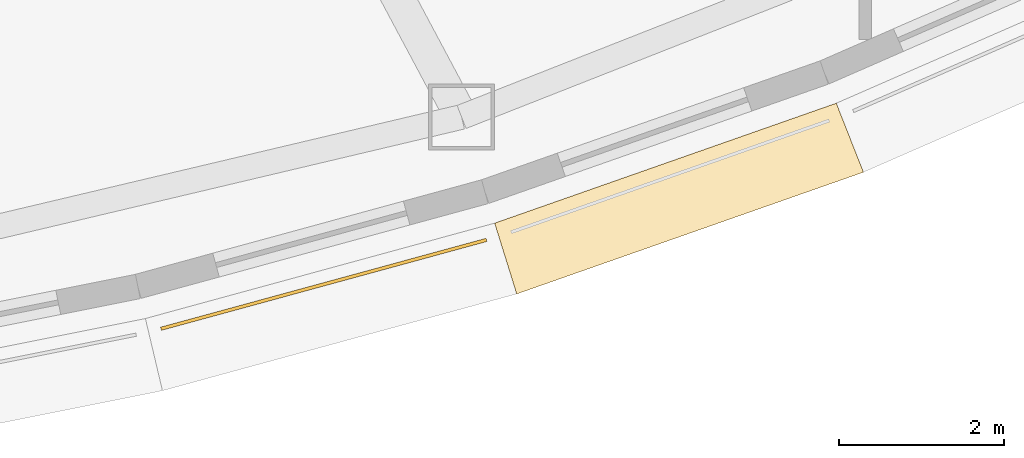
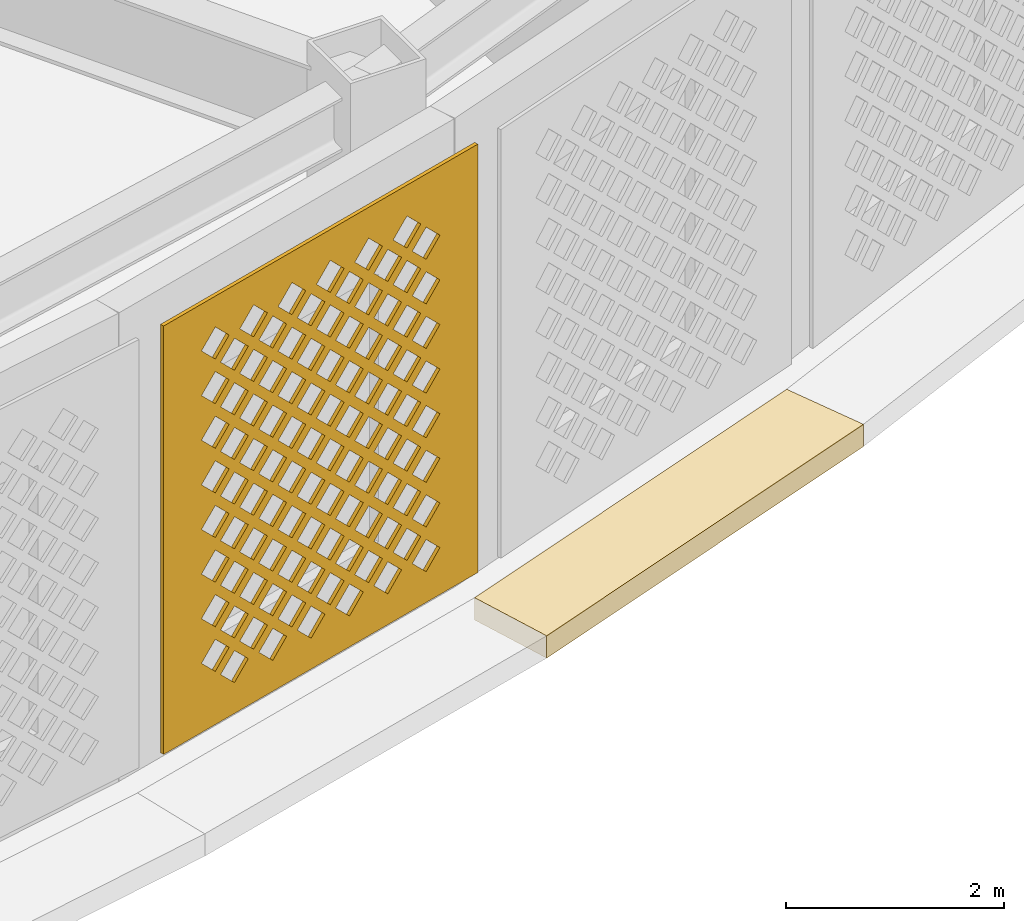
# One storey, part 56 of 69: 2 coverings.
"""IFC4 building model written with IfcOpenShell, lengths in metres."""

import ifcopenshell
import ifcopenshell.guid

model = None  # the IFC model being written
_history = None  # IfcOwnerHistory: only IFC2X3 demands one
_inside = {}  # id of a spatial element -> (the spatial element, [elements in it])
_under = {}  # id of a project, library or spatial element -> (it, [spatial elements below it])
_declared = {}  # id of a project -> (the project, [libraries it declares])
_typed = {}  # id of a type object -> (the type object, [elements of that type])
_made_of = {}  # id of a material, layer set ... -> (it, [elements and type objects made of it])


def new_model(schema):
    """Start an empty IFC model of exactly this schema.

    Asked for "IFC4X3", IfcOpenShell would pick the latest addendum, in which some entities
    have other attributes; the version numbers below select the first issue.
    IFC2X3 requires an IfcOwnerHistory on every rooted entity: one is made here for all.
    """
    global model, _history
    if schema == "IFC4X3":
        model = ifcopenshell.file(schema_version=(4, 3, 0, 0))
    else:
        model = ifcopenshell.file(schema=schema)
    _inside.clear()
    _under.clear()
    _declared.clear()
    _typed.clear()
    _made_of.clear()
    _history = None
    if model.schema == "IFC2X3":
        org = make("IfcOrganization", Name="unknown")
        user = make(
            "IfcPersonAndOrganization",
            ThePerson=make("IfcPerson", FamilyName="unknown"),
            TheOrganization=org,
        )
        app = make(
            "IfcApplication",
            ApplicationDeveloper=org,
            Version="unknown",
            ApplicationFullName="unknown",
            ApplicationIdentifier="unknown",
        )
        _history = make(
            "IfcOwnerHistory",
            OwningUser=user,
            OwningApplication=app,
            ChangeAction="ADDED",
            CreationDate=0,
        )
    return model


def make(cls, **values):
    """One entity of the class cls with the attributes given. An attribute that is None is left unset."""
    return model.create_entity(
        cls, **{name: value for name, value in values.items() if value is not None}
    )


def rooted(cls, **values):
    """An entity with a GlobalId (a new one), such as an element, a storey or a relation."""
    return make(cls, GlobalId=ifcopenshell.guid.new(), OwnerHistory=_history, **values)


def si_unit(unit_type, name, prefix=None):
    """IfcSIUnit, for example si_unit("LENGTHUNIT", "METRE", prefix="MILLI")."""
    return make("IfcSIUnit", UnitType=unit_type, Prefix=prefix, Name=name)


def assignment(units):
    """IfcUnitAssignment: the units of a project."""
    return None if units is None else make("IfcUnitAssignment", Units=units)


def point(xyz):
    """IfcCartesianPoint."""
    return None if xyz is None else make("IfcCartesianPoint", Coordinates=xyz)


def direction(xyz):
    """IfcDirection."""
    return None if xyz is None else make("IfcDirection", DirectionRatios=xyz)


def frame(location, z_axis=None, x_axis=None):
    """IfcAxis2Placement3D, a coordinate frame: its origin and axes. An axis left out is left unset."""
    return make(
        "IfcAxis2Placement3D",
        Location=point(location),
        Axis=direction(z_axis),
        RefDirection=direction(x_axis),
    )


def origin():
    """The frame at (0, 0, 0) with its axes left unset."""
    return frame((0.0, 0.0, 0.0))


def place(relative_to, where):
    """IfcLocalPlacement: puts the frame where relative to a parent placement (None: the world)."""
    return make(
        "IfcLocalPlacement", PlacementRelTo=relative_to, RelativePlacement=where
    )


def context(
    kind, dimensions, precision=None, world=None, true_north=None, identifier=None
):
    """IfcGeometricRepresentationContext, for example the 3D "Model" context."""
    return make(
        "IfcGeometricRepresentationContext",
        ContextIdentifier=identifier,
        ContextType=kind,
        CoordinateSpaceDimension=dimensions,
        Precision=precision,
        WorldCoordinateSystem=world,
        TrueNorth=true_north,
    )


def subcontext(parent, identifier, kind, view, scale=None):
    """IfcGeometricRepresentationSubContext, for example "Body" below "Model"."""
    return make(
        "IfcGeometricRepresentationSubContext",
        ContextIdentifier=identifier,
        ContextType=kind,
        ParentContext=parent,
        TargetScale=scale,
        TargetView=view,
    )


def project(units=None, contexts=None):
    """IfcProject with its units and contexts."""
    return rooted(
        "IfcProject",
        Name="project",
        RepresentationContexts=contexts,
        UnitsInContext=assignment(units),
    )


def spatial(cls, under=None, at=None, **own):
    """A site, building, storey or space (cls), placed at a placement, below another one or the project."""
    s = rooted(cls, ObjectPlacement=at, **own)
    if under is not None:
        _under.setdefault(under.id(), (under, []))[1].append(s)
    return s


def polyline(points):
    """IfcPolyline through the points."""
    return make("IfcPolyline", Points=[point(p) for p in points])


def outline(outer, holes=None, kind="AREA"):
    """IfcArbitraryClosedProfileDef: a profile drawn as a closed curve; with holes, ...WithVoids."""
    if holes is None:
        return make("IfcArbitraryClosedProfileDef", ProfileType=kind, OuterCurve=outer)
    return make(
        "IfcArbitraryProfileDefWithVoids",
        ProfileType=kind,
        OuterCurve=outer,
        InnerCurves=holes,
    )


def extrude(swept, where, along, depth):
    """IfcExtrudedAreaSolid: the profile swept, set in the frame where, extruded along a direction by depth."""
    return make(
        "IfcExtrudedAreaSolid",
        SweptArea=swept,
        Position=where,
        ExtrudedDirection=direction(along),
        Depth=depth,
    )


def shape(context_of_items, identifier, shape_type, items):
    """IfcShapeRepresentation: the items that make up one representation, for example the "Body"."""
    return make(
        "IfcShapeRepresentation",
        ContextOfItems=context_of_items,
        RepresentationIdentifier=identifier,
        RepresentationType=shape_type,
        Items=items,
    )


def material(Name=None, Category=None):
    """IfcMaterial."""
    return make("IfcMaterial", Name=Name, Category=Category)


def layer(
    of_material, thickness, ventilated=None, Name=None, Category=None, Priority=None
):
    """IfcMaterialLayer: one layer of a wall or slab, of a material (None: an air gap)."""
    return make(
        "IfcMaterialLayer",
        Material=of_material,
        LayerThickness=thickness,
        IsVentilated=ventilated,
        Name=Name,
        Category=Category,
        Priority=Priority,
    )


def layer_set(layers, Name=None):
    """IfcMaterialLayerSet."""
    return make("IfcMaterialLayerSet", MaterialLayers=layers, LayerSetName=Name)


def made_of(thing, what):
    """Note that an element or type object is made of a material, layer set ...; save() writes the relation."""
    if what is not None:
        _made_of.setdefault(what.id(), (what, []))[1].append(thing)
    return thing


def type_object(cls, material=None, **own):
    """A type object (cls), such as IfcWallType, which elements share."""
    return made_of(rooted(cls, **own), material)


def element(
    cls,
    number,
    at=None,
    inside=None,
    cuts=None,
    type_object=None,
    material=None,
    context=None,
    identifier="Body",
    shape_type=None,
    held_by="IfcProductDefinitionShape",
    body=None,
    shapes=None,
    **own,
):
    """One element of the class cls, such as IfcWall. Its Tag is "e" and its number.

    at: its placement. inside: the storey or other place that contains it. cuts: it is an
    opening in that element (IfcRelVoidsElement). A single representation is given by context,
    identifier, shape_type and body (its items); several are given by shapes. held_by: the class
    of the entity that holds the representations. save() writes the other relations.
    """
    e = rooted(cls, Tag="e%d" % number, ObjectPlacement=at, **own)
    if body is not None:
        shapes = [shape(context, identifier, shape_type, body)]
    if shapes is not None:
        e.Representation = make(held_by, Representations=shapes)
    if inside is not None:
        _inside.setdefault(inside.id(), (inside, []))[1].append(e)
    if cuts is not None:
        rooted(
            "IfcRelVoidsElement", RelatingBuildingElement=cuts, RelatedOpeningElement=e
        )
    if type_object is not None:
        _typed.setdefault(type_object.id(), (type_object, []))[1].append(e)
    return made_of(e, material)


def aggregate(whole, parts):
    """IfcRelAggregates: a whole, such as a stair, and the parts it consists of."""
    return rooted("IfcRelAggregates", RelatingObject=whole, RelatedObjects=parts)


def save(model, path):
    """Write the relations noted so far, then the file.

    IfcRelAggregates (storeys below a building ...), IfcRelContainedInSpatialStructure (elements
    in a storey), IfcRelDefinesByType, IfcRelAssociatesMaterial and IfcRelDeclares: one each for
    every whole, place, type object, material and project.
    """
    for whole, parts in _under.values():
        aggregate(whole, parts)
    for where, things in _inside.values():
        rooted(
            "IfcRelContainedInSpatialStructure",
            RelatedElements=things,
            RelatingStructure=where,
        )
    for kind, things in _typed.values():
        rooted("IfcRelDefinesByType", RelatedObjects=things, RelatingType=kind)
    for what, things in _made_of.values():
        rooted("IfcRelAssociatesMaterial", RelatedObjects=things, RelatingMaterial=what)
    for by, libraries in _declared.values():
        rooted("IfcRelDeclares", RelatingContext=by, RelatedDefinitions=libraries)
    model.write(path)


model = new_model("IFC4")

# Units and contexts
model_context = context("Model", 3, precision=1e-05, world=origin(), true_north=direction((0.0, 1.0)))
body_context = subcontext(model_context, "Body", "Model", "MODEL_VIEW")
ifc_project = project(units=[si_unit("LENGTHUNIT", "METRE"), si_unit("AREAUNIT", "SQUARE_METRE"), si_unit("VOLUMEUNIT", "CUBIC_METRE"), si_unit("PLANEANGLEUNIT", "RADIAN"), si_unit("MASSUNIT", "GRAM", prefix="KILO")], contexts=[model_context])

# Site, building, storey
site_placement = place(None, origin())
site = spatial("IfcSite", under=ifc_project, at=site_placement, CompositionType="ELEMENT")
building_placement = place(site_placement, origin())
building = spatial("IfcBuilding", under=site, at=building_placement, Name="Noorbagh Ring Tower", CompositionType="ELEMENT")
storey_placement = place(building_placement, frame((0.0, 0.0, 19.5)))
storey = spatial("IfcBuildingStorey", under=building, at=storey_placement, Name="L03", CompositionType="ELEMENT", Elevation=19.5)

# Coverings
ifc_material_1 = material(Name="Red sandstone eave", Category="masonry")
covering_type_1 = type_object("IfcCoveringType", Name="STY-CHHAJJA", PredefinedType="USERDEFINED", material=ifc_material_1)
covering_1_placement = place(storey_placement, frame((0.0, 0.0, -0.25)))
element("IfcCovering", 1, at=covering_1_placement, inside=storey, type_object=covering_type_1, Name="Chhajja eave", ObjectType="CHHAJJA", PredefinedType="USERDEFINED", context=body_context, shape_type="SweptSolid", body=[
    extrude(outline(polyline([(19.49853515625, -37.081298828125), (23.647216796875, -35.624755859375), (23.976806640625, -36.462890625), (19.7666015625, -37.941162109375), (19.49853515625, -37.081298828125)])), origin(), (0.0, 0.0, 1.0), 0.25),
])
ifc_material_2 = material(Name="Red sandstone jali", Category="masonry")
ifc_layer = layer(ifc_material_2, 0.0400390625)
ifc_layer_set = layer_set([ifc_layer], Name="Red sandstone jali")
covering_type_2 = type_object("IfcCoveringType", Name="STY-JALI", PredefinedType="USERDEFINED", material=ifc_layer_set)
covering_2_placement = place(storey_placement, frame((15.45166015625, -38.38330078125, 0.449951171875), z_axis=(0.26339977228, -0.964686767797, 0.0), x_axis=(0.964686767797, 0.26339977228, 0.0)))
element("IfcCovering", 2, at=covering_2_placement, inside=storey, type_object=covering_type_2, Name="Jali screen", ObjectType="SCREEN", PredefinedType="USERDEFINED", context=body_context, shape_type="SweptSolid", body=[
    extrude(outline(polyline([(0.0, 0.0), (4.096923828125, 0.0), (4.096923828125, 4.800048828125), (0.0, 4.800048828125), (0.0, 0.0)]), holes=[polyline([(0.743408203125, 0.52490234375), (0.923583984375, 0.344970703125), (1.103515625, 0.52490234375), (0.923583984375, 0.705078125), (0.743408203125, 0.52490234375)]), polyline([(1.243408203125, 0.52490234375), (1.423583984375, 0.344970703125), (1.603515625, 0.52490234375), (1.423583984375, 0.705078125), (1.243408203125, 0.52490234375)]), polyline([(1.743408203125, 0.52490234375), (1.923583984375, 0.344970703125), (2.103515625, 0.52490234375), (1.923583984375, 0.705078125), (1.743408203125, 0.52490234375)]), polyline([(2.243408203125, 0.52490234375), (2.423583984375, 0.344970703125), (2.603515625, 0.52490234375), (2.423583984375, 0.705078125), (2.243408203125, 0.52490234375)]), polyline([(2.743408203125, 0.52490234375), (2.923583984375, 0.344970703125), (3.103515625, 0.52490234375), (2.923583984375, 0.705078125), (2.743408203125, 0.52490234375)]), polyline([(3.243408203125, 0.52490234375), (3.423583984375, 0.344970703125), (3.603515625, 0.52490234375), (3.423583984375, 0.705078125), (3.243408203125, 0.52490234375)]), polyline([(0.493408203125, 0.77490234375), (0.673583984375, 0.594970703125), (0.853515625, 0.77490234375), (0.673583984375, 0.955078125), (0.493408203125, 0.77490234375)]), polyline([(0.993408203125, 0.77490234375), (1.173583984375, 0.594970703125), (1.353515625, 0.77490234375), (1.173583984375, 0.955078125), (0.993408203125, 0.77490234375)]), polyline([(1.493408203125, 0.77490234375), (1.673583984375, 0.594970703125), (1.853515625, 0.77490234375), (1.673583984375, 0.955078125), (1.493408203125, 0.77490234375)]), polyline([(1.993408203125, 0.77490234375), (2.173583984375, 0.594970703125), (2.353515625, 0.77490234375), (2.173583984375, 0.955078125), (1.993408203125, 0.77490234375)]), polyline([(2.493408203125, 0.77490234375), (2.673583984375, 0.594970703125), (2.853515625, 0.77490234375), (2.673583984375, 0.955078125), (2.493408203125, 0.77490234375)]), polyline([(2.993408203125, 0.77490234375), (3.173583984375, 0.594970703125), (3.353515625, 0.77490234375), (3.173583984375, 0.955078125), (2.993408203125, 0.77490234375)]), polyline([(0.743408203125, 1.02490234375), (0.923583984375, 0.844970703125), (1.103515625, 1.02490234375), (0.923583984375, 1.205078125), (0.743408203125, 1.02490234375)]), polyline([(1.243408203125, 1.02490234375), (1.423583984375, 0.844970703125), (1.603515625, 1.02490234375), (1.423583984375, 1.205078125), (1.243408203125, 1.02490234375)]), polyline([(1.743408203125, 1.02490234375), (1.923583984375, 0.844970703125), (2.103515625, 1.02490234375), (1.923583984375, 1.205078125), (1.743408203125, 1.02490234375)]), polyline([(2.243408203125, 1.02490234375), (2.423583984375, 0.844970703125), (2.603515625, 1.02490234375), (2.423583984375, 1.205078125), (2.243408203125, 1.02490234375)]), polyline([(2.743408203125, 1.02490234375), (2.923583984375, 0.844970703125), (3.103515625, 1.02490234375), (2.923583984375, 1.205078125), (2.743408203125, 1.02490234375)]), polyline([(3.243408203125, 1.02490234375), (3.423583984375, 0.844970703125), (3.603515625, 1.02490234375), (3.423583984375, 1.205078125), (3.243408203125, 1.02490234375)]), polyline([(0.493408203125, 1.27490234375), (0.673583984375, 1.094970703125), (0.853515625, 1.27490234375), (0.673583984375, 1.455078125), (0.493408203125, 1.27490234375)]), polyline([(0.993408203125, 1.27490234375), (1.173583984375, 1.094970703125), (1.353515625, 1.27490234375), (1.173583984375, 1.455078125), (0.993408203125, 1.27490234375)]), polyline([(1.493408203125, 1.27490234375), (1.673583984375, 1.094970703125), (1.853515625, 1.27490234375), (1.673583984375, 1.455078125), (1.493408203125, 1.27490234375)]), polyline([(1.993408203125, 1.27490234375), (2.173583984375, 1.094970703125), (2.353515625, 1.27490234375), (2.173583984375, 1.455078125), (1.993408203125, 1.27490234375)]), polyline([(2.493408203125, 1.27490234375), (2.673583984375, 1.094970703125), (2.853515625, 1.27490234375), (2.673583984375, 1.455078125), (2.493408203125, 1.27490234375)]), polyline([(2.993408203125, 1.27490234375), (3.173583984375, 1.094970703125), (3.353515625, 1.27490234375), (3.173583984375, 1.455078125), (2.993408203125, 1.27490234375)]), polyline([(0.743408203125, 1.52490234375), (0.923583984375, 1.344970703125), (1.103515625, 1.52490234375), (0.923583984375, 1.705078125), (0.743408203125, 1.52490234375)]), polyline([(1.243408203125, 1.52490234375), (1.423583984375, 1.344970703125), (1.603515625, 1.52490234375), (1.423583984375, 1.705078125), (1.243408203125, 1.52490234375)]), polyline([(1.743408203125, 1.52490234375), (1.923583984375, 1.344970703125), (2.103515625, 1.52490234375), (1.923583984375, 1.705078125), (1.743408203125, 1.52490234375)]), polyline([(2.243408203125, 1.52490234375), (2.423583984375, 1.344970703125), (2.603515625, 1.52490234375), (2.423583984375, 1.705078125), (2.243408203125, 1.52490234375)]), polyline([(2.743408203125, 1.52490234375), (2.923583984375, 1.344970703125), (3.103515625, 1.52490234375), (2.923583984375, 1.705078125), (2.743408203125, 1.52490234375)]), polyline([(3.243408203125, 1.52490234375), (3.423583984375, 1.344970703125), (3.603515625, 1.52490234375), (3.423583984375, 1.705078125), (3.243408203125, 1.52490234375)]), polyline([(0.493408203125, 1.77490234375), (0.673583984375, 1.594970703125), (0.853515625, 1.77490234375), (0.673583984375, 1.955078125), (0.493408203125, 1.77490234375)]), polyline([(0.993408203125, 1.77490234375), (1.173583984375, 1.594970703125), (1.353515625, 1.77490234375), (1.173583984375, 1.955078125), (0.993408203125, 1.77490234375)]), polyline([(1.493408203125, 1.77490234375), (1.673583984375, 1.594970703125), (1.853515625, 1.77490234375), (1.673583984375, 1.955078125), (1.493408203125, 1.77490234375)]), polyline([(1.993408203125, 1.77490234375), (2.173583984375, 1.594970703125), (2.353515625, 1.77490234375), (2.173583984375, 1.955078125), (1.993408203125, 1.77490234375)]), polyline([(2.493408203125, 1.77490234375), (2.673583984375, 1.594970703125), (2.853515625, 1.77490234375), (2.673583984375, 1.955078125), (2.493408203125, 1.77490234375)]), polyline([(2.993408203125, 1.77490234375), (3.173583984375, 1.594970703125), (3.353515625, 1.77490234375), (3.173583984375, 1.955078125), (2.993408203125, 1.77490234375)]), polyline([(0.743408203125, 2.02490234375), (0.923583984375, 1.844970703125), (1.103515625, 2.02490234375), (0.923583984375, 2.205078125), (0.743408203125, 2.02490234375)]), polyline([(1.243408203125, 2.02490234375), (1.423583984375, 1.844970703125), (1.603515625, 2.02490234375), (1.423583984375, 2.205078125), (1.243408203125, 2.02490234375)]), polyline([(1.743408203125, 2.02490234375), (1.923583984375, 1.844970703125), (2.103515625, 2.02490234375), (1.923583984375, 2.205078125), (1.743408203125, 2.02490234375)]), polyline([(2.243408203125, 2.02490234375), (2.423583984375, 1.844970703125), (2.603515625, 2.02490234375), (2.423583984375, 2.205078125), (2.243408203125, 2.02490234375)]), polyline([(2.743408203125, 2.02490234375), (2.923583984375, 1.844970703125), (3.103515625, 2.02490234375), (2.923583984375, 2.205078125), (2.743408203125, 2.02490234375)]), polyline([(3.243408203125, 2.02490234375), (3.423583984375, 1.844970703125), (3.603515625, 2.02490234375), (3.423583984375, 2.205078125), (3.243408203125, 2.02490234375)]), polyline([(0.493408203125, 2.27490234375), (0.673583984375, 2.094970703125), (0.853515625, 2.27490234375), (0.673583984375, 2.455078125), (0.493408203125, 2.27490234375)]), polyline([(0.993408203125, 2.27490234375), (1.173583984375, 2.094970703125), (1.353515625, 2.27490234375), (1.173583984375, 2.455078125), (0.993408203125, 2.27490234375)]), polyline([(1.493408203125, 2.27490234375), (1.673583984375, 2.094970703125), (1.853515625, 2.27490234375), (1.673583984375, 2.455078125), (1.493408203125, 2.27490234375)]), polyline([(1.993408203125, 2.27490234375), (2.173583984375, 2.094970703125), (2.353515625, 2.27490234375), (2.173583984375, 2.455078125), (1.993408203125, 2.27490234375)]), polyline([(2.493408203125, 2.27490234375), (2.673583984375, 2.094970703125), (2.853515625, 2.27490234375), (2.673583984375, 2.455078125), (2.493408203125, 2.27490234375)]), polyline([(2.993408203125, 2.27490234375), (3.173583984375, 2.094970703125), (3.353515625, 2.27490234375), (3.173583984375, 2.455078125), (2.993408203125, 2.27490234375)]), polyline([(0.743408203125, 2.52490234375), (0.923583984375, 2.344970703125), (1.103515625, 2.52490234375), (0.923583984375, 2.705078125), (0.743408203125, 2.52490234375)]), polyline([(1.243408203125, 2.52490234375), (1.423583984375, 2.344970703125), (1.603515625, 2.52490234375), (1.423583984375, 2.705078125), (1.243408203125, 2.52490234375)]), polyline([(1.743408203125, 2.52490234375), (1.923583984375, 2.344970703125), (2.103515625, 2.52490234375), (1.923583984375, 2.705078125), (1.743408203125, 2.52490234375)]), polyline([(2.243408203125, 2.52490234375), (2.423583984375, 2.344970703125), (2.603515625, 2.52490234375), (2.423583984375, 2.705078125), (2.243408203125, 2.52490234375)]), polyline([(2.743408203125, 2.52490234375), (2.923583984375, 2.344970703125), (3.103515625, 2.52490234375), (2.923583984375, 2.705078125), (2.743408203125, 2.52490234375)]), polyline([(3.243408203125, 2.52490234375), (3.423583984375, 2.344970703125), (3.603515625, 2.52490234375), (3.423583984375, 2.705078125), (3.243408203125, 2.52490234375)]), polyline([(0.493408203125, 2.77490234375), (0.673583984375, 2.594970703125), (0.853515625, 2.77490234375), (0.673583984375, 2.955078125), (0.493408203125, 2.77490234375)]), polyline([(0.993408203125, 2.77490234375), (1.173583984375, 2.594970703125), (1.353515625, 2.77490234375), (1.173583984375, 2.955078125), (0.993408203125, 2.77490234375)]), polyline([(1.493408203125, 2.77490234375), (1.673583984375, 2.594970703125), (1.853515625, 2.77490234375), (1.673583984375, 2.955078125), (1.493408203125, 2.77490234375)]), polyline([(1.993408203125, 2.77490234375), (2.173583984375, 2.594970703125), (2.353515625, 2.77490234375), (2.173583984375, 2.955078125), (1.993408203125, 2.77490234375)]), polyline([(2.493408203125, 2.77490234375), (2.673583984375, 2.594970703125), (2.853515625, 2.77490234375), (2.673583984375, 2.955078125), (2.493408203125, 2.77490234375)]), polyline([(2.993408203125, 2.77490234375), (3.173583984375, 2.594970703125), (3.353515625, 2.77490234375), (3.173583984375, 2.955078125), (2.993408203125, 2.77490234375)]), polyline([(0.743408203125, 3.02490234375), (0.923583984375, 2.844970703125), (1.103515625, 3.02490234375), (0.923583984375, 3.205078125), (0.743408203125, 3.02490234375)]), polyline([(1.243408203125, 3.02490234375), (1.423583984375, 2.844970703125), (1.603515625, 3.02490234375), (1.423583984375, 3.205078125), (1.243408203125, 3.02490234375)]), polyline([(1.743408203125, 3.02490234375), (1.923583984375, 2.844970703125), (2.103515625, 3.02490234375), (1.923583984375, 3.205078125), (1.743408203125, 3.02490234375)]), polyline([(2.243408203125, 3.02490234375), (2.423583984375, 2.844970703125), (2.603515625, 3.02490234375), (2.423583984375, 3.205078125), (2.243408203125, 3.02490234375)]), polyline([(2.743408203125, 3.02490234375), (2.923583984375, 2.844970703125), (3.103515625, 3.02490234375), (2.923583984375, 3.205078125), (2.743408203125, 3.02490234375)]), polyline([(3.243408203125, 3.02490234375), (3.423583984375, 2.844970703125), (3.603515625, 3.02490234375), (3.423583984375, 3.205078125), (3.243408203125, 3.02490234375)]), polyline([(0.493408203125, 3.27490234375), (0.673583984375, 3.094970703125), (0.853515625, 3.27490234375), (0.673583984375, 3.455078125), (0.493408203125, 3.27490234375)]), polyline([(0.993408203125, 3.27490234375), (1.173583984375, 3.094970703125), (1.353515625, 3.27490234375), (1.173583984375, 3.455078125), (0.993408203125, 3.27490234375)]), polyline([(1.493408203125, 3.27490234375), (1.673583984375, 3.094970703125), (1.853515625, 3.27490234375), (1.673583984375, 3.455078125), (1.493408203125, 3.27490234375)]), polyline([(1.993408203125, 3.27490234375), (2.173583984375, 3.094970703125), (2.353515625, 3.27490234375), (2.173583984375, 3.455078125), (1.993408203125, 3.27490234375)]), polyline([(2.493408203125, 3.27490234375), (2.673583984375, 3.094970703125), (2.853515625, 3.27490234375), (2.673583984375, 3.455078125), (2.493408203125, 3.27490234375)]), polyline([(2.993408203125, 3.27490234375), (3.173583984375, 3.094970703125), (3.353515625, 3.27490234375), (3.173583984375, 3.455078125), (2.993408203125, 3.27490234375)]), polyline([(0.743408203125, 3.52490234375), (0.923583984375, 3.344970703125), (1.103515625, 3.52490234375), (0.923583984375, 3.705078125), (0.743408203125, 3.52490234375)]), polyline([(1.243408203125, 3.52490234375), (1.423583984375, 3.344970703125), (1.603515625, 3.52490234375), (1.423583984375, 3.705078125), (1.243408203125, 3.52490234375)]), polyline([(1.743408203125, 3.52490234375), (1.923583984375, 3.344970703125), (2.103515625, 3.52490234375), (1.923583984375, 3.705078125), (1.743408203125, 3.52490234375)]), polyline([(2.243408203125, 3.52490234375), (2.423583984375, 3.344970703125), (2.603515625, 3.52490234375), (2.423583984375, 3.705078125), (2.243408203125, 3.52490234375)]), polyline([(2.743408203125, 3.52490234375), (2.923583984375, 3.344970703125), (3.103515625, 3.52490234375), (2.923583984375, 3.705078125), (2.743408203125, 3.52490234375)]), polyline([(3.243408203125, 3.52490234375), (3.423583984375, 3.344970703125), (3.603515625, 3.52490234375), (3.423583984375, 3.705078125), (3.243408203125, 3.52490234375)]), polyline([(0.493408203125, 3.77490234375), (0.673583984375, 3.594970703125), (0.853515625, 3.77490234375), (0.673583984375, 3.955078125), (0.493408203125, 3.77490234375)]), polyline([(0.993408203125, 3.77490234375), (1.173583984375, 3.594970703125), (1.353515625, 3.77490234375), (1.173583984375, 3.955078125), (0.993408203125, 3.77490234375)]), polyline([(1.493408203125, 3.77490234375), (1.673583984375, 3.594970703125), (1.853515625, 3.77490234375), (1.673583984375, 3.955078125), (1.493408203125, 3.77490234375)]), polyline([(1.993408203125, 3.77490234375), (2.173583984375, 3.594970703125), (2.353515625, 3.77490234375), (2.173583984375, 3.955078125), (1.993408203125, 3.77490234375)]), polyline([(2.493408203125, 3.77490234375), (2.673583984375, 3.594970703125), (2.853515625, 3.77490234375), (2.673583984375, 3.955078125), (2.493408203125, 3.77490234375)]), polyline([(2.993408203125, 3.77490234375), (3.173583984375, 3.594970703125), (3.353515625, 3.77490234375), (3.173583984375, 3.955078125), (2.993408203125, 3.77490234375)]), polyline([(0.743408203125, 4.02490234375), (0.923583984375, 3.844970703125), (1.103515625, 4.02490234375), (0.923583984375, 4.205078125), (0.743408203125, 4.02490234375)]), polyline([(1.243408203125, 4.02490234375), (1.423583984375, 3.844970703125), (1.603515625, 4.02490234375), (1.423583984375, 4.205078125), (1.243408203125, 4.02490234375)]), polyline([(1.743408203125, 4.02490234375), (1.923583984375, 3.844970703125), (2.103515625, 4.02490234375), (1.923583984375, 4.205078125), (1.743408203125, 4.02490234375)]), polyline([(2.243408203125, 4.02490234375), (2.423583984375, 3.844970703125), (2.603515625, 4.02490234375), (2.423583984375, 4.205078125), (2.243408203125, 4.02490234375)]), polyline([(2.743408203125, 4.02490234375), (2.923583984375, 3.844970703125), (3.103515625, 4.02490234375), (2.923583984375, 4.205078125), (2.743408203125, 4.02490234375)]), polyline([(3.243408203125, 4.02490234375), (3.423583984375, 3.844970703125), (3.603515625, 4.02490234375), (3.423583984375, 4.205078125), (3.243408203125, 4.02490234375)]), polyline([(0.493408203125, 4.27490234375), (0.673583984375, 4.094970703125), (0.853515625, 4.27490234375), (0.673583984375, 4.455078125), (0.493408203125, 4.27490234375)]), polyline([(0.993408203125, 4.27490234375), (1.173583984375, 4.094970703125), (1.353515625, 4.27490234375), (1.173583984375, 4.455078125), (0.993408203125, 4.27490234375)]), polyline([(1.493408203125, 4.27490234375), (1.673583984375, 4.094970703125), (1.853515625, 4.27490234375), (1.673583984375, 4.455078125), (1.493408203125, 4.27490234375)]), polyline([(1.993408203125, 4.27490234375), (2.173583984375, 4.094970703125), (2.353515625, 4.27490234375), (2.173583984375, 4.455078125), (1.993408203125, 4.27490234375)]), polyline([(2.493408203125, 4.27490234375), (2.673583984375, 4.094970703125), (2.853515625, 4.27490234375), (2.673583984375, 4.455078125), (2.493408203125, 4.27490234375)]), polyline([(2.993408203125, 4.27490234375), (3.173583984375, 4.094970703125), (3.353515625, 4.27490234375), (3.173583984375, 4.455078125), (2.993408203125, 4.27490234375)])]), origin(), (0.0, 0.0, -1.0), 0.0400390625),
])

save(model, "model.ifc")
